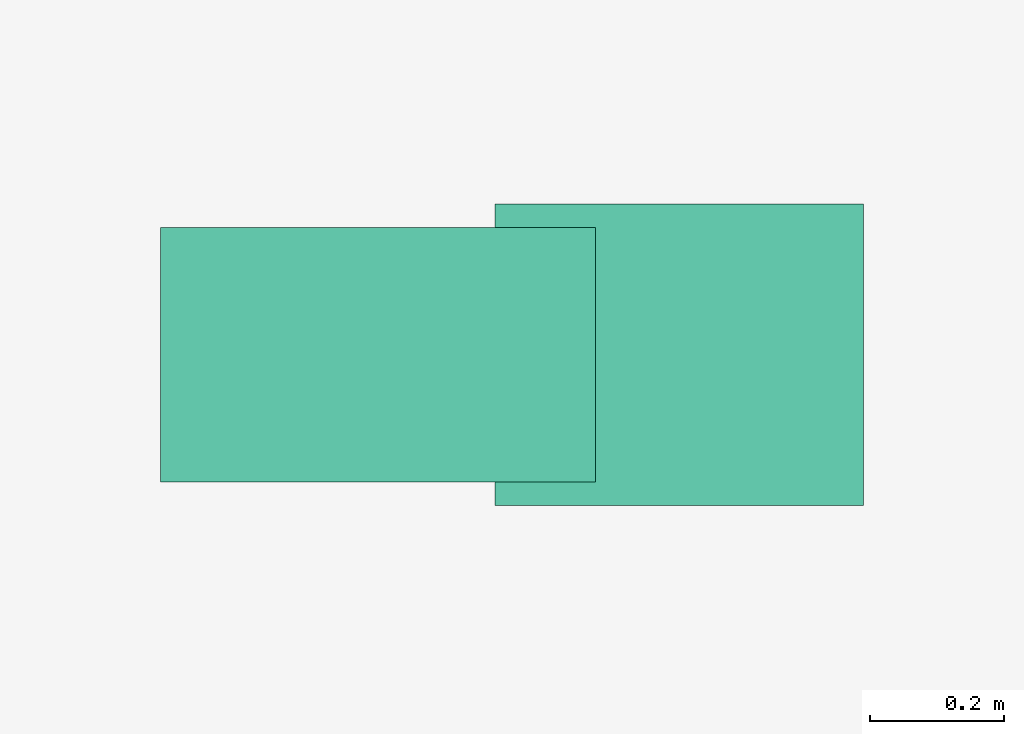
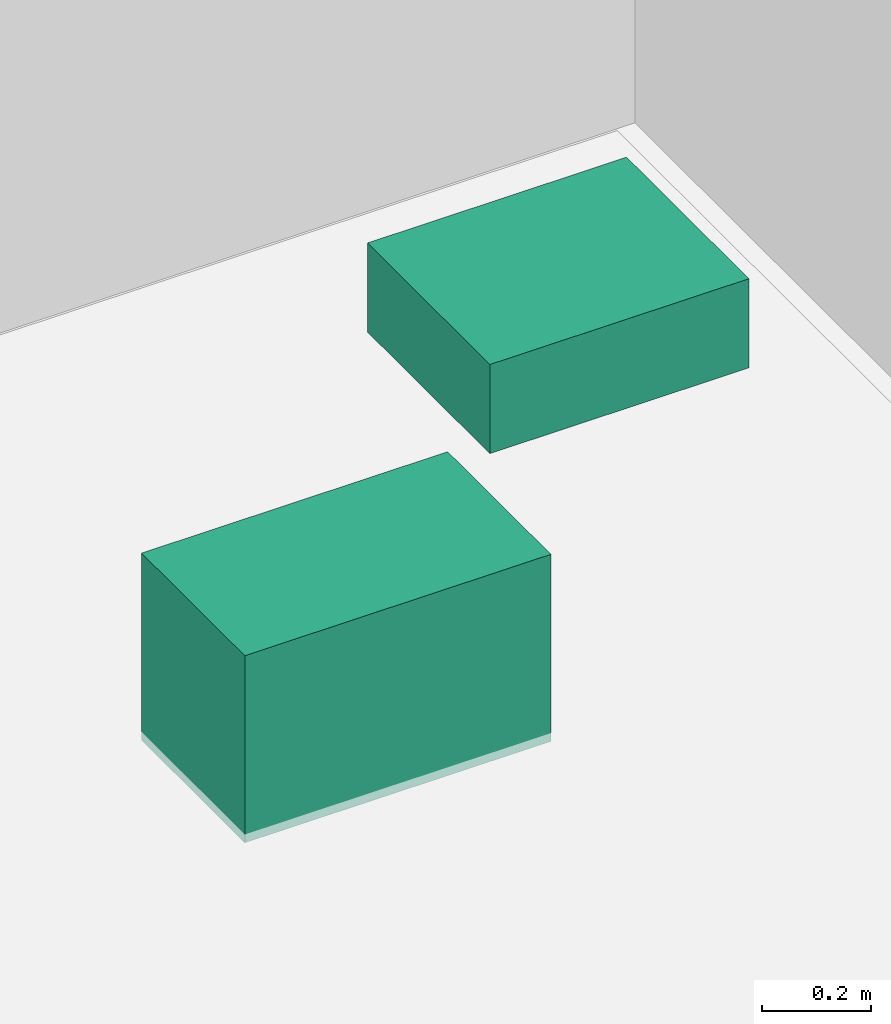
# One storey, part 15 of 15: 2 sanitary terminals.
"""IFC4 building model written with IfcOpenShell, lengths in metres."""

from ifc_helpers import new_model, si_unit, direction, frame, origin, origin_2d, place, context, subcontext, project, spatial, rectangle, extrude, material, type_object, element, save


model = new_model("IFC4")

# Units and contexts
model_context = context("Model", 3, precision=1e-05, world=origin(), true_north=direction((0.0, 1.0)))
body_context = subcontext(model_context, "Body", "Model", "MODEL_VIEW")
ifc_project = project(units=[si_unit("LENGTHUNIT", "METRE"), si_unit("AREAUNIT", "SQUARE_METRE"), si_unit("VOLUMEUNIT", "CUBIC_METRE"), si_unit("PLANEANGLEUNIT", "RADIAN"), si_unit("MASSUNIT", "GRAM", prefix="KILO")], contexts=[model_context])

# Site, building, storey
site_placement = place(None, origin())
site = spatial("IfcSite", under=ifc_project, at=site_placement, CompositionType="ELEMENT")
building_placement = place(site_placement, origin())
building = spatial("IfcBuilding", under=site, at=building_placement, Name="Savorim Split Tower", CompositionType="ELEMENT")
storey_placement = place(building_placement, frame((0.0, 0.0, 297.60009765625)))
storey = spatial("IfcBuildingStorey", under=building, at=storey_placement, Name="Crown L79 Plant", CompositionType="ELEMENT", Elevation=297.60009765625)

# Sanitary terminals
ifc_material = material(Name="Vitreous China Sanitaryware")
sanitary_terminal_type_1 = type_object("IfcSanitaryTerminalType", Name="SAN-WC-PAN", PredefinedType="TOILETPAN", material=ifc_material)
sanitary_terminal_1_placement = place(storey_placement, frame((-2.77490234375, -7.60009765625, 0.0), z_axis=(0.0, 0.0, 1.0), x_axis=(1.0, 0.0, 0.0)))
element("IfcSanitaryTerminal", 1, at=sanitary_terminal_1_placement, inside=storey, type_object=sanitary_terminal_type_1, Name="Crown L79 Plant Accessible WC WC Pan", PredefinedType="TOILETPAN", context=body_context, shape_type="SweptSolid", body=[
    extrude(rectangle(XDim=0.64990234375, YDim=0.3798828125, at=origin_2d()), origin(), (0.0, 0.0, 1.0), 0.419921875),
])
sanitary_terminal_type_2 = type_object("IfcSanitaryTerminalType", Name="SAN-WHB-550", PredefinedType="WASHHANDBASIN", material=ifc_material)
sanitary_terminal_2_placement = place(storey_placement, frame((-2.324951171875, -7.60009765625, 0.7197265625), z_axis=(0.0, 0.0, 1.0), x_axis=(1.0, 0.0, 0.0)))
element("IfcSanitaryTerminal", 2, at=sanitary_terminal_2_placement, inside=storey, type_object=sanitary_terminal_type_2, Name="Crown L79 Plant Accessible WC Washhand Basin", PredefinedType="WASHHANDBASIN", context=body_context, shape_type="SweptSolid", body=[
    extrude(rectangle(XDim=0.550048828125, YDim=0.449951171875, at=origin_2d()), origin(), (0.0, 0.0, 1.0), 0.199951171875),
])

save(model, "model.ifc")
